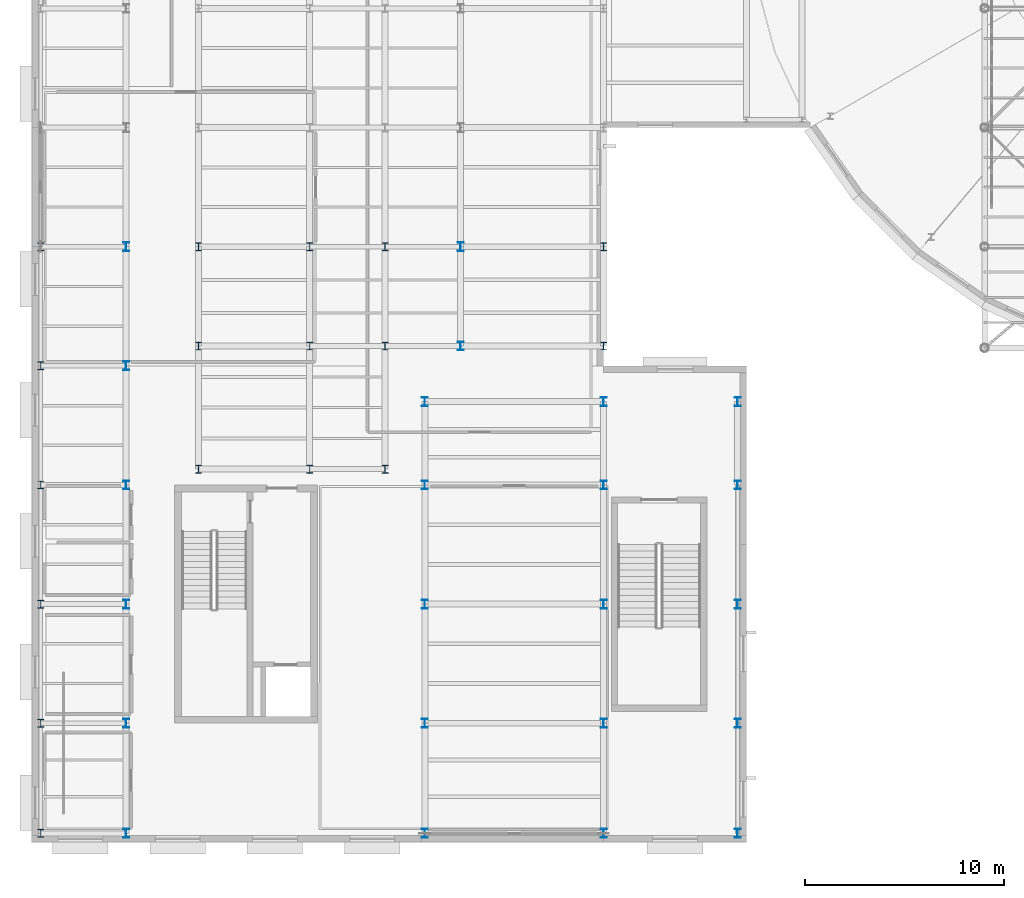
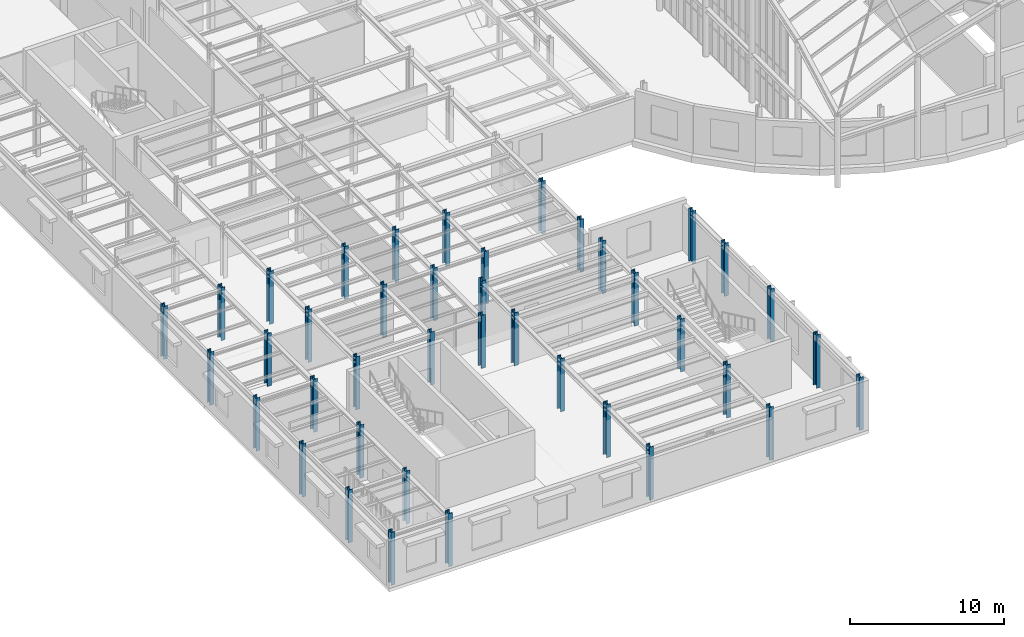
# One storey, part 1 of 75: 40 columns.
"""IFC4 building model written with IfcOpenShell, lengths in metres."""

from ifc_helpers import new_model, si_unit, direction, frame, origin, origin_2d, place, context, subcontext, project, spatial, i_section, extrude, material, material_profile, profile_set, type_object, element, save


model = new_model("IFC4")

# Units and contexts
model_context = context("Model", 3, precision=1e-05, world=origin(), true_north=direction((0.0, 1.0)))
body_context = subcontext(model_context, "Body", "Model", "MODEL_VIEW")
ifc_project = project(units=[si_unit("LENGTHUNIT", "METRE"), si_unit("AREAUNIT", "SQUARE_METRE"), si_unit("VOLUMEUNIT", "CUBIC_METRE"), si_unit("PLANEANGLEUNIT", "RADIAN"), si_unit("MASSUNIT", "GRAM", prefix="KILO")], contexts=[model_context])

# Site, building, storey
site_placement = place(None, origin())
site = spatial("IfcSite", under=ifc_project, at=site_placement, CompositionType="ELEMENT")
building_placement = place(site_placement, origin())
building = spatial("IfcBuilding", under=site, at=building_placement, Name="Kolvaren Corner Interchange", CompositionType="ELEMENT")
storey_placement = place(building_placement, frame((0.0, 0.0, 10.5)))
storey = spatial("IfcBuildingStorey", under=building, at=storey_placement, Name="L03", CompositionType="ELEMENT", Elevation=10.5)

# Columns
ifc_material_1 = material(Name="Steel S355", Category="steel")
ifc_material_profile_1 = material_profile(ifc_material_1, i_section(OverallWidth=0.300048828125, OverallDepth=0.39990234375, WebThickness=0.013427734375, FlangeThickness=0.02392578125, FilletRadius=0.027099609375, at=origin_2d()), Name="HEB 400")
ifc_profile_set_1 = profile_set([ifc_material_profile_1], Name="Steel S355")
column_type_1 = type_object("IfcColumnType", Name="COL-HEB400", PredefinedType="COLUMN", material=ifc_profile_set_1)
for number, where, z_axis, x_axis, name in (
    (1, (0.449951171875, 0.449951171875, 0.0), (0.0, 0.0, 1.0), (1.0, 0.0, 0.0), "Storey L03 Structural Column 0003"),
    (2, (0.449951171875, 6.0, 0.0), (0.0, 0.0, 1.0), (1.0, 0.0, 0.0), "Storey L03 Structural Column 0008"),
    (3, (0.449951171875, 12.0, 0.0), (0.0, 0.0, 1.0), (1.0, 0.0, 0.0), "Storey L03 Structural Column 0013"),
    (4, (0.449951171875, 18.0, 0.0), (0.0, 0.0, 1.0), (1.0, 0.0, 0.0), "Storey L03 Structural Column 0018"),
    (5, (0.449951171875, 24.0, 0.0), (0.0, 0.0, 1.0), (1.0, 0.0, 0.0), "Storey L03 Structural Column 0023"),
    (6, (0.449951171875, 30.0, 0.0), (0.0, 0.0, 1.0), (1.0, 0.0, 0.0), "Storey L03 Structural Column 0028"),
    (7, (8.39990234375, 18.800048828125, 0.0), (0.0, 0.0, 1.0), (1.0, 0.0, 0.0), "Storey L03 Structural Column 0215"),
    (8, (8.39990234375, 25.0, 0.0), (0.0, 0.0, 1.0), (1.0, 0.0, 0.0), "Storey L03 Structural Column 0221"),
    (9, (8.39990234375, 30.0, 0.0), (0.0, 0.0, 1.0), (1.0, 0.0, 0.0), "Storey L03 Structural Column 0227"),
    (10, (14.0, 18.800048828125, 0.0), (0.0, 0.0, 1.0), (1.0, 0.0, 0.0), "Storey L03 Structural Column 0251"),
    (11, (14.0, 25.0, 0.0), (0.0, 0.0, 1.0), (1.0, 0.0, 0.0), "Storey L03 Structural Column 0257"),
    (12, (14.0, 30.0, 0.0), (0.0, 0.0, 1.0), (1.0, 0.0, 0.0), "Storey L03 Structural Column 0263"),
    (13, (17.800048828125, 18.800048828125, 0.0), (0.0, 0.0, 1.0), (1.0, 0.0, 0.0), "Storey L03 Structural Column 0287"),
    (14, (17.800048828125, 25.0, 0.0), (0.0, 0.0, 1.0), (1.0, 0.0, 0.0), "Storey L03 Structural Column 0293"),
    (15, (17.800048828125, 30.0, 0.0), (0.0, 0.0, 1.0), (1.0, 0.0, 0.0), "Storey L03 Structural Column 0299"),
    (16, (28.800048828125, 25.0, 0.0), (0.0, 0.0, 1.0), (1.0, 0.0, 0.0), "Storey L03 Structural Column 0385"),
    (17, (28.800048828125, 30.0, 0.0), (0.0, 0.0, 1.0), (1.0, 0.0, 0.0), "Storey L03 Structural Column 0389"),
):
    element("IfcColumn", number, at=place(storey_placement, frame(where, z_axis=z_axis, x_axis=x_axis)), inside=storey, type_object=column_type_1, Name=name, PredefinedType="COLUMN", context=body_context, shape_type="SweptSolid", body=[
        extrude(i_section(OverallWidth=0.300048828125, OverallDepth=0.39990234375, WebThickness=0.013427734375, FlangeThickness=0.02392578125, FilletRadius=0.027099609375, at=origin_2d()), origin(), (0.0, 0.0, 1.0), 4.199951171875),
    ])
ifc_material_2 = material(Name="Steel S355", Category="steel")
ifc_material_profile_2 = material_profile(ifc_material_2, i_section(OverallWidth=0.300048828125, OverallDepth=0.449951171875, WebThickness=0.013916015625, FlangeThickness=0.02587890625, FilletRadius=0.027099609375, at=origin_2d()), Name="HEB 450")
ifc_profile_set_2 = profile_set([ifc_material_profile_2], Name="Steel S355")
column_type_2 = type_object("IfcColumnType", Name="COL-HEB450", PredefinedType="COLUMN", material=ifc_profile_set_2)
for number, where, z_axis, x_axis, name in (
    (18, (4.75, 0.449951171875, 0.0), (0.0, 0.0, 1.0), (1.0, 0.0, 0.0), "Storey L03 Structural Column 0071"),
    (19, (4.75, 6.0, 0.0), (0.0, 0.0, 1.0), (1.0, 0.0, 0.0), "Storey L03 Structural Column 0076"),
    (20, (4.75, 12.0, 0.0), (0.0, 0.0, 1.0), (1.0, 0.0, 0.0), "Storey L03 Structural Column 0081"),
    (21, (4.75, 18.0, 0.0), (0.0, 0.0, 1.0), (1.0, 0.0, 0.0), "Storey L03 Structural Column 0086"),
    (22, (4.75, 24.0, 0.0), (0.0, 0.0, 1.0), (1.0, 0.0, 0.0), "Storey L03 Structural Column 0091"),
    (23, (4.75, 30.0, 0.0), (0.0, 0.0, 1.0), (1.0, 0.0, 0.0), "Storey L03 Structural Column 0096"),
    (24, (19.800048828125, 0.449951171875, 0.0), (0.0, 0.0, 1.0), (1.0, 0.0, 0.0), "Storey L03 Structural Column 0139"),
    (25, (19.800048828125, 6.0, 0.0), (0.0, 0.0, 1.0), (1.0, 0.0, 0.0), "Storey L03 Structural Column 0144"),
    (26, (19.800048828125, 12.0, 0.0), (0.0, 0.0, 1.0), (1.0, 0.0, 0.0), "Storey L03 Structural Column 0149"),
    (27, (19.800048828125, 18.0, 0.0), (0.0, 0.0, 1.0), (1.0, 0.0, 0.0), "Storey L03 Structural Column 0154"),
    (28, (19.800048828125, 22.199951171875, 0.0), (0.0, 0.0, 1.0), (1.0, 0.0, 0.0), "Storey L03 Structural Column 0159"),
    (29, (28.800048828125, 0.449951171875, 0.0), (0.0, 0.0, 1.0), (1.0, 0.0, 0.0), "Storey L03 Structural Column 0164"),
    (30, (28.800048828125, 6.0, 0.0), (0.0, 0.0, 1.0), (1.0, 0.0, 0.0), "Storey L03 Structural Column 0169"),
    (31, (28.800048828125, 12.0, 0.0), (0.0, 0.0, 1.0), (1.0, 0.0, 0.0), "Storey L03 Structural Column 0174"),
    (32, (28.800048828125, 18.0, 0.0), (0.0, 0.0, 1.0), (1.0, 0.0, 0.0), "Storey L03 Structural Column 0179"),
    (33, (28.800048828125, 22.199951171875, 0.0), (0.0, 0.0, 1.0), (1.0, 0.0, 0.0), "Storey L03 Structural Column 0184"),
    (34, (35.550048828125, 0.449951171875, 0.0), (0.0, 0.0, 1.0), (1.0, 0.0, 0.0), "Storey L03 Structural Column 0189"),
    (35, (35.550048828125, 6.0, 0.0), (0.0, 0.0, 1.0), (1.0, 0.0, 0.0), "Storey L03 Structural Column 0194"),
    (36, (35.550048828125, 12.0, 0.0), (0.0, 0.0, 1.0), (1.0, 0.0, 0.0), "Storey L03 Structural Column 0199"),
    (37, (35.550048828125, 18.0, 0.0), (0.0, 0.0, 1.0), (1.0, 0.0, 0.0), "Storey L03 Structural Column 0204"),
    (38, (35.550048828125, 22.199951171875, 0.0), (0.0, 0.0, 1.0), (1.0, 0.0, 0.0), "Storey L03 Structural Column 0209"),
    (39, (21.60009765625, 25.0, 0.0), (0.0, 0.0, 1.0), (1.0, 0.0, 0.0), "Storey L03 Structural Column 0334"),
    (40, (21.60009765625, 30.0, 0.0), (0.0, 0.0, 1.0), (1.0, 0.0, 0.0), "Storey L03 Structural Column 0340"),
):
    element("IfcColumn", number, at=place(storey_placement, frame(where, z_axis=z_axis, x_axis=x_axis)), inside=storey, type_object=column_type_2, Name=name, PredefinedType="COLUMN", context=body_context, shape_type="SweptSolid", body=[
        extrude(i_section(OverallWidth=0.300048828125, OverallDepth=0.449951171875, WebThickness=0.013916015625, FlangeThickness=0.02587890625, FilletRadius=0.027099609375, at=origin_2d()), origin(), (0.0, 0.0, 1.0), 4.199951171875),
    ])

save(model, "model.ifc")
